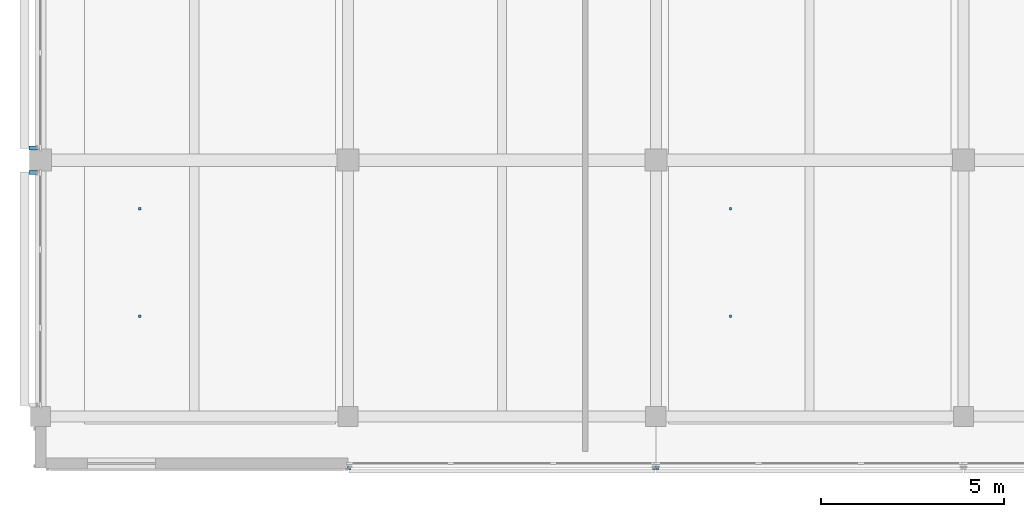
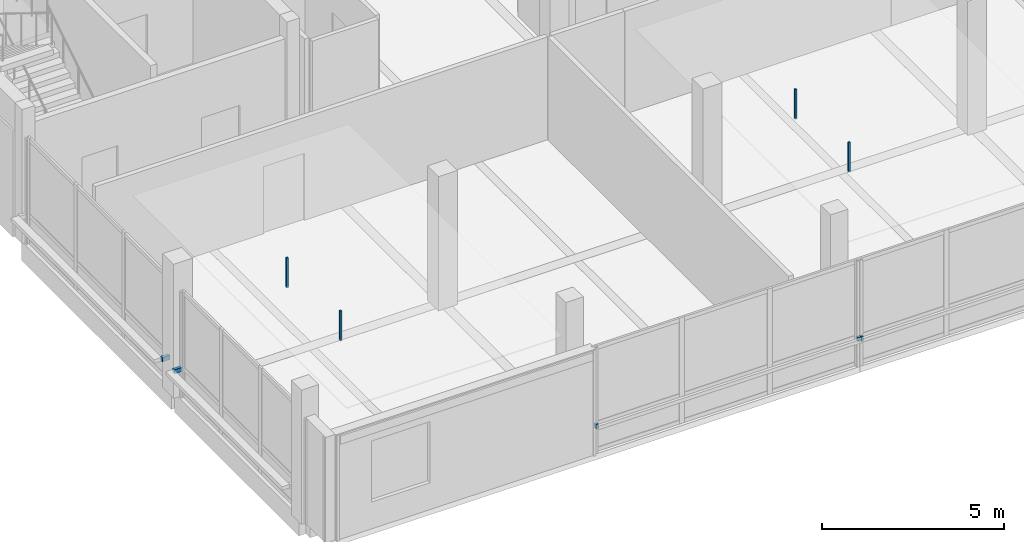
# One storey, part 10 of 25: 9 discrete accessories.
"""IFC4 building model written with IfcOpenShell, lengths in metres."""

from ifc_helpers import new_model, si_unit, direction, frame, origin, origin_2d, place, context, subcontext, project, spatial, rectangle, extrude, material, type_object, element, save


model = new_model("IFC4")

# Units and contexts
model_context = context("Model", 3, precision=1e-05, world=origin(), true_north=direction((0.0, 1.0)))
body_context = subcontext(model_context, "Body", "Model", "MODEL_VIEW")
ifc_project = project(units=[si_unit("LENGTHUNIT", "METRE"), si_unit("AREAUNIT", "SQUARE_METRE"), si_unit("VOLUMEUNIT", "CUBIC_METRE"), si_unit("PLANEANGLEUNIT", "RADIAN"), si_unit("MASSUNIT", "GRAM", prefix="KILO")], contexts=[model_context])

# Site, building, storey
site_placement = place(None, origin())
site = spatial("IfcSite", under=ifc_project, at=site_placement, CompositionType="ELEMENT")
building_placement = place(site_placement, origin())
building = spatial("IfcBuilding", under=site, at=building_placement, Name="Telukmera Botanical Conservatory", CompositionType="ELEMENT")
storey_placement = place(building_placement, frame((0.0, 0.0, 64.5)))
storey = spatial("IfcBuildingStorey", under=building, at=storey_placement, Name="L14", CompositionType="ELEMENT", Elevation=64.5)

# Discrete accessories
ifc_material = material(Name="Steel S355", Category="steel")
discrete_accessory_type_1 = type_object("IfcDiscreteAccessoryType", Name="ACC-CEIL-HGR", PredefinedType="BRACKET", material=ifc_material)
for number, where, z_axis, x_axis, name in (
    (1, (61.508056640625, 13.33740234375, 3.31005859375), (0.0, 0.0, 1.0), (1.0, 0.0, 0.0), "L14 Suspended Ceiling Hanger Rod 024-1"),
    (2, (61.508056640625, 16.27490234375, 3.31005859375), (0.0, 0.0, 1.0), (1.0, 0.0, 0.0), "L14 Suspended Ceiling Hanger Rod 024-2"),
):
    element("IfcDiscreteAccessory", number, at=place(storey_placement, frame(where, z_axis=z_axis, x_axis=x_axis)), inside=storey, type_object=discrete_accessory_type_1, Name=name, PredefinedType="BRACKET", context=body_context, shape_type="SweptSolid", body=[
        extrude(rectangle(XDim=0.06005859375, YDim=0.06005859375, at=origin_2d()), origin(), (0.0, 0.0, 1.0), 0.9951171875),
    ])
for number, where, z_axis, x_axis, name in (
    (3, (77.64111328125, 13.33740234375, 3.31982421875), (0.0, 0.0, 1.0), (1.0, 0.0, 0.0), "L14 Suspended Ceiling Hanger Rod 025-1"),
    (4, (77.64111328125, 16.27490234375, 3.31982421875), (0.0, 0.0, 1.0), (1.0, 0.0, 0.0), "L14 Suspended Ceiling Hanger Rod 025-2"),
):
    element("IfcDiscreteAccessory", number, at=place(storey_placement, frame(where, z_axis=z_axis, x_axis=x_axis)), inside=storey, type_object=discrete_accessory_type_1, Name=name, PredefinedType="BRACKET", context=body_context, shape_type="SweptSolid", body=[
        extrude(rectangle(XDim=0.06005859375, YDim=0.06005859375, at=origin_2d()), origin(), (0.0, 0.0, 1.0), 0.985107421875),
    ])
discrete_accessory_type_2 = type_object("IfcDiscreteAccessoryType", Name="Structural Steel Facade Outrigger Fin Bracket", PredefinedType="BRACKET", material=ifc_material)
for number, where, z_axis, x_axis, name in (
    (5, (67.234619140625, 9.195068359375, 0.8798828125), (0.0, 0.0, 1.0), (1.0, 0.0, 0.0), "Facade Outrigger Bracket V4:L14:S2 A"),
    (6, (75.5654296875, 9.195068359375, 0.8798828125), (0.0, 0.0, 1.0), (1.0, 0.0, 0.0), "Facade Outrigger Bracket V4:L14:S2 B"),
    (7, (75.634521484375, 9.195068359375, 0.8798828125), (0.0, 0.0, 1.0), (1.0, 0.0, 0.0), "Facade Outrigger Bracket V4:L14:S3 A"),
):
    element("IfcDiscreteAccessory", number, at=place(storey_placement, frame(where, z_axis=z_axis, x_axis=x_axis)), inside=storey, type_object=discrete_accessory_type_2, Name=name, PredefinedType="BRACKET", context=body_context, shape_type="SweptSolid", body=[
        extrude(rectangle(XDim=0.10009765625, YDim=0.090087890625, at=origin_2d()), origin(), (0.0, 0.0, 1.0), 0.139892578125),
    ])
for number, where, z_axis, x_axis, name in (
    (8, (58.60009765625, 17.265380859375, 0.8798828125), (0.0, 0.0, 1.0), (0.0, 1.0, 0.0), "Facade Outrigger Bracket V4:L14:W1 B"),
    (9, (58.60009765625, 17.9345703125, 0.8798828125), (0.0, 0.0, 1.0), (0.0, 1.0, 0.0), "Facade Outrigger Bracket V4:L14:W2 A"),
):
    element("IfcDiscreteAccessory", number, at=place(storey_placement, frame(where, z_axis=z_axis, x_axis=x_axis)), inside=storey, type_object=discrete_accessory_type_2, Name=name, PredefinedType="BRACKET", context=body_context, shape_type="SweptSolid", body=[
        extrude(rectangle(XDim=0.10009765625, YDim=0.239990234375, at=origin_2d()), origin(), (0.0, 0.0, 1.0), 0.139892578125),
    ])

save(model, "model.ifc")
